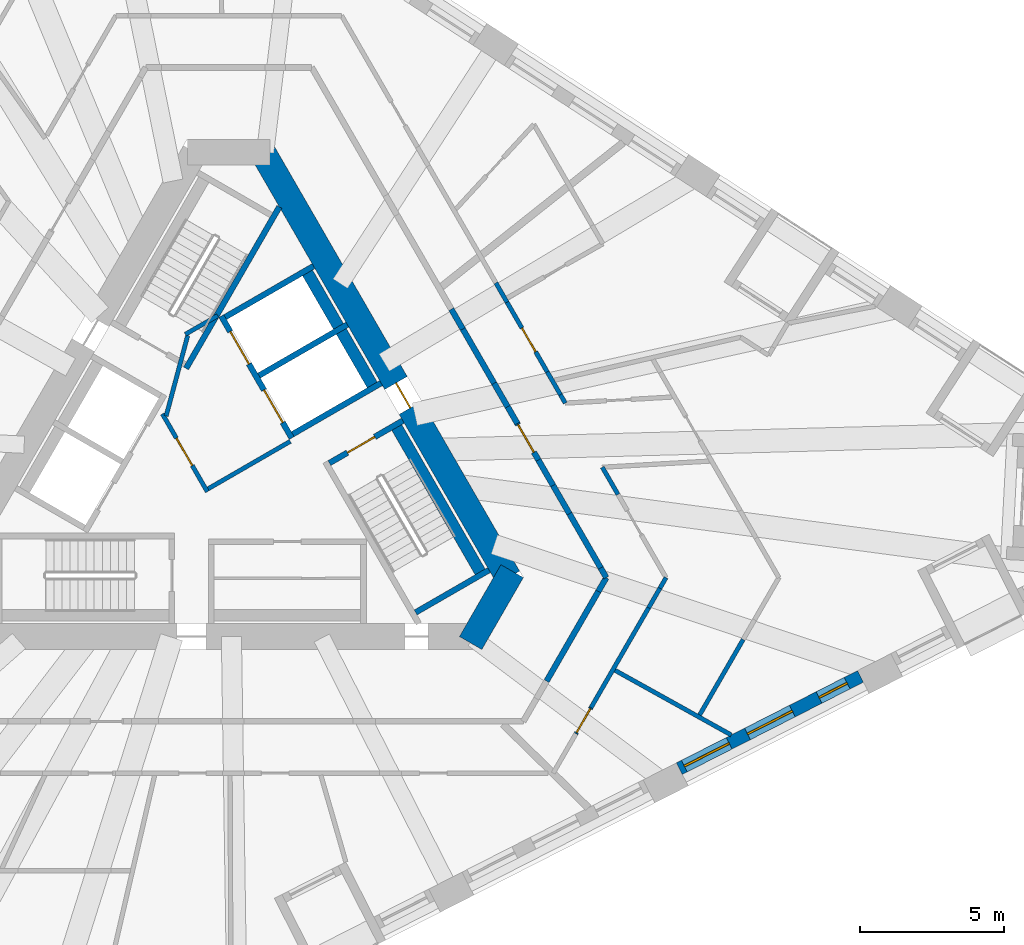
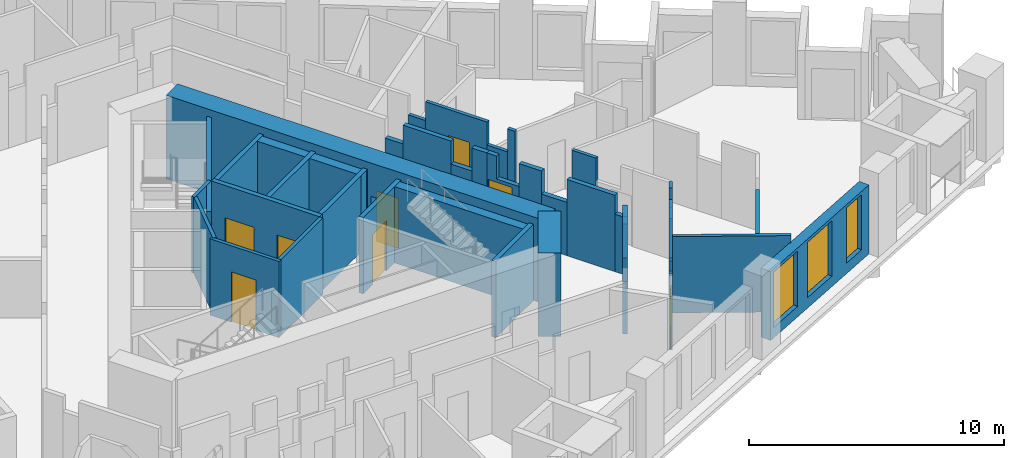
# One storey, part 5 of 13: 38 walls, 8 doors, 3 windows, 11 openings.
"""IFC4 building model written with IfcOpenShell, lengths in metres."""

from ifc_helpers import new_model, si_unit, direction, frame, frame_2d, origin, place, context, subcontext, project, spatial, polyline, rectangle, outline, extrude, material, layer, layer_set, type_object, element, fill, save


model = new_model("IFC4")

# Units and contexts
model_context = context("Model", 3, precision=1e-05, world=origin(), true_north=direction((0.0, 1.0)))
body_context = subcontext(model_context, "Body", "Model", "MODEL_VIEW")
ifc_project = project(units=[si_unit("LENGTHUNIT", "METRE"), si_unit("AREAUNIT", "SQUARE_METRE"), si_unit("VOLUMEUNIT", "CUBIC_METRE"), si_unit("PLANEANGLEUNIT", "RADIAN"), si_unit("MASSUNIT", "GRAM", prefix="KILO")], contexts=[model_context])

# Site, building, storey
site_placement = place(None, origin())
site = spatial("IfcSite", under=ifc_project, at=site_placement, CompositionType="ELEMENT")
building_placement = place(site_placement, origin())
building = spatial("IfcBuilding", under=site, at=building_placement, Name="Tramontana Tower", CompositionType="ELEMENT")
storey_placement = place(building_placement, frame((0.0, 0.0, 149.60009765625)))
storey = spatial("IfcBuildingStorey", under=building, at=storey_placement, Name="L34", CompositionType="ELEMENT", Elevation=149.60009765625)

# Wall
ifc_material_1 = material(Name="Concrete 70 MPa", Category="concrete")
ifc_layer_1 = layer(ifc_material_1, 0.89990234375)
ifc_layer_set_1 = layer_set([ifc_layer_1], Name="Core wall 900 70 MPa")
wall_type_1 = type_object("IfcWallType", Name="Core wall 900 70 MPa", PredefinedType="SHEAR", material=ifc_layer_set_1)
wall_1_placement = place(storey_placement, frame((8.414794921875, -6.52490234375, 0.0), z_axis=(0.0, 0.0, 1.0), x_axis=(0.500059191753, 0.865991226713, 0.0)))
element("IfcWall", 1, at=wall_1_placement, inside=storey, type_object=wall_type_1, Name="Core wall C4 L34", PredefinedType="SHEAR", context=body_context, shape_type="SweptSolid", body=[
    extrude(rectangle(XDim=2.886962890625, YDim=0.89990234375, at=frame_2d((1.443359375, 0.0))), origin(), (0.0, 0.0, 1.0), 4.0),
])

# Wall, opening, door
wall_2_placement = place(storey_placement, frame((9.728515625, -4.25, 0.0), z_axis=(0.0, 0.0, 1.0), x_axis=(-0.500004814304, 0.866022624227, 0.0)))
wall_2 = element("IfcWall", 2, at=wall_2_placement, inside=storey, type_object=wall_type_1, Name="Core wall C5 L34", PredefinedType="SHEAR", context=body_context, shape_type="SweptSolid", body=[
    extrude(rectangle(XDim=17.089599609375, YDim=0.89990234375, at=frame_2d((8.544921875, 0.0))), origin(), (0.0, 0.0, 1.0), 4.0),
])
opening_1_placement = place(wall_2_placement, frame((6.81982421875, 0.0, 0.0)))
opening_1 = element("IfcOpeningElement", 3, at=opening_1_placement, cuts=wall_2, Name="Opening RG3", PredefinedType="OPENING", context=body_context, shape_type="SweptSolid", body=[
    extrude(rectangle(XDim=1.0, YDim=2.39990234375, at=frame_2d((0.5, 1.199951171875))), frame((0.0, 0.4599609375, 0.0), z_axis=(0.0, -1.0, 0.0), x_axis=(1.0, 0.0, 0.0)), (0.0, 0.0, 1.0), 0.919921875),
])
ifc_material_2 = material(Name="Painted steel", Category="steel")
door_type_1 = type_object("IfcDoorType", Name="RING DOOR 1000", OperationType="SINGLE_SWING_LEFT", PredefinedType="DOOR", material=ifc_material_2)
door_1_placement = place(opening_1_placement, origin())
door_1 = element("IfcDoor", 4, at=door_1_placement, inside=storey, type_object=door_type_1, Name="Door RG3", OperationType="SINGLE_SWING_RIGHT", OverallHeight=2.39990234375, OverallWidth=1.0, PredefinedType="DOOR", context=body_context, shape_type="SweptSolid", body=[
    extrude(rectangle(XDim=1.0, YDim=2.39990234375, at=frame_2d((0.5, 1.199951171875))), frame((0.0, 0.02490234375, 0.0), z_axis=(0.0, -1.0, 0.0), x_axis=(1.0, 0.0, 0.0)), (0.0, 0.0, 1.0), 0.050048828125),
])
fill(opening_1, door_1)

# Walls
ifc_material_3 = material(Name="Blockwork", Category="masonry")
ifc_layer_2 = layer(ifc_material_3, 0.199951171875)
ifc_layer_set_2 = layer_set([ifc_layer_2], Name="ENTRY WALL 200")
wall_type_2 = type_object("IfcWallType", Name="ENTRY WALL 200", PredefinedType="SOLIDWALL", material=ifc_layer_set_2)
wall_3_placement = place(storey_placement, frame((7.7421875, 5.090087890625, 0.0), z_axis=(0.0, 0.0, 1.0), x_axis=(0.500109828528, -0.865961984968, 0.0)))
element("IfcWall", 5, at=wall_3_placement, inside=storey, type_object=wall_type_2, Name="Wall v32-ew0-3", PredefinedType="SOLIDWALL", context=body_context, shape_type="SweptSolid", body=[
    extrude(rectangle(XDim=0.800048828125, YDim=0.199951171875, at=frame_2d((0.39990234375, 0.0))), origin(), (0.0, 0.0, 1.0), 2.75),
])
wall_4_placement = place(storey_placement, frame((8.142333984375, 4.397216796875, 0.0), z_axis=(0.0, 0.0, 1.0), x_axis=(0.499948868167, -0.866054922749, 0.0)))
element("IfcWall", 6, at=wall_4_placement, inside=storey, type_object=wall_type_2, Name="Wall v32-ew0-4", PredefinedType="SOLIDWALL", context=body_context, shape_type="SweptSolid", body=[
    extrude(rectangle(XDim=2.177978515625, YDim=0.199951171875, at=frame_2d((1.0888671875, 0.0))), origin(), (0.0, 0.0, 1.0), 3.64990234375),
])
wall_5_placement = place(storey_placement, frame((9.231201171875, 2.510986328125, 0.0), z_axis=(0.0, 0.0, 1.0), x_axis=(0.500118100521, -0.865957207679, 0.0)))
element("IfcWall", 7, at=wall_5_placement, inside=storey, type_object=wall_type_2, Name="Wall v32-ew0-5", PredefinedType="SOLIDWALL", context=body_context, shape_type="SweptSolid", body=[
    extrude(rectangle(XDim=0.943603515625, YDim=0.199951171875, at=frame_2d((0.4716796875, 0.0))), origin(), (0.0, 0.0, 1.0), 2.5498046875),
])
wall_6_placement = place(storey_placement, frame((9.703125, 1.69384765625, 0.0), z_axis=(0.0, 0.0, 1.0), x_axis=(0.499764284991, -0.866161451144, 0.0)))
element("IfcWall", 8, at=wall_6_placement, inside=storey, type_object=wall_type_2, Name="Wall v32-ew0-6", PredefinedType="SOLIDWALL", context=body_context, shape_type="SweptSolid", body=[
    extrude(rectangle(XDim=0.673583984375, YDim=0.199951171875, at=frame_2d((0.3369140625, 0.0))), origin(), (0.0, 0.0, 1.0), 3.64990234375),
])

# Wall, opening, door
wall_7_placement = place(storey_placement, frame((10.039794921875, 1.1103515625, 0.0), z_axis=(0.0, 0.0, 1.0), x_axis=(0.499977492351, -0.866038398192, 0.0)))
wall_7 = element("IfcWall", 9, at=wall_7_placement, inside=storey, type_object=wall_type_2, Name="Wall v32-ew0-7", PredefinedType="SOLIDWALL", context=body_context, shape_type="SweptSolid", body=[
    extrude(outline(polyline([(0.0, 0.0), (1.4638671875, 0.0), (1.4638671875, 2.5498046875), (0.4404296875, 2.5498046875), (0.4404296875, 3.64990234375), (0.0, 3.64990234375), (0.0, 0.0)])), frame((0.0, 0.10009765625, 0.0), z_axis=(0.0, -1.0, 0.0), x_axis=(1.0, 0.0, 0.0)), (0.0, 0.0, 1.0), 0.199951171875),
])
opening_2_placement = place(wall_7_placement, frame((0.050048828125, 0.0, 0.0)))
opening_2 = element("IfcOpeningElement", 10, at=opening_2_placement, cuts=wall_7, Name="Opening B3C-23", PredefinedType="OPENING", context=body_context, shape_type="SweptSolid", body=[
    extrude(rectangle(XDim=1.10009765625, YDim=2.39990234375, at=frame_2d((0.550048828125, 1.199951171875))), frame((0.0, 0.10986328125, 0.0), z_axis=(0.0, -1.0, 0.0), x_axis=(1.0, 0.0, 0.0)), (0.0, 0.0, 1.0), 0.219970703125),
])
ifc_material_4 = material(Name="Painted timber", Category="wood")
door_type_2 = type_object("IfcDoorType", Name="DOOR ENTRY 1100", OperationType="SINGLE_SWING_LEFT", PredefinedType="DOOR", material=ifc_material_4)
door_2_placement = place(opening_2_placement, origin())
door_2 = element("IfcDoor", 11, at=door_2_placement, inside=storey, type_object=door_type_2, Name="Door B3C-23", OperationType="SINGLE_SWING_LEFT", OverallHeight=2.39990234375, OverallWidth=1.10009765625, PredefinedType="DOOR", context=body_context, shape_type="SweptSolid", body=[
    extrude(rectangle(XDim=1.10009765625, YDim=2.39990234375, at=frame_2d((0.550048828125, 1.199951171875))), frame((0.0, 0.02490234375, 0.0), z_axis=(0.0, -1.0, 0.0), x_axis=(1.0, 0.0, 0.0)), (0.0, 0.0, 1.0), 0.050048828125),
])
fill(opening_2, door_2)

# Walls
wall_8_placement = place(storey_placement, frame((10.771728515625, -0.157470703125, 0.0), z_axis=(0.0, 0.0, 1.0), x_axis=(0.500170198676, -0.865927117231, 0.0)))
element("IfcWall", 12, at=wall_8_placement, inside=storey, type_object=wall_type_2, Name="Wall v32-ew0-8", PredefinedType="SOLIDWALL", context=body_context, shape_type="SweptSolid", body=[
    extrude(rectangle(XDim=1.022705078125, YDim=0.199951171875, at=frame_2d((0.51123046875, 0.0))), origin(), (0.0, 0.0, 1.0), 3.64990234375),
])
wall_9_placement = place(storey_placement, frame((11.283203125, -1.04296875, 0.0), z_axis=(0.0, 0.0, 1.0), x_axis=(0.500001688065, -0.866024429177, 0.0)))
element("IfcWall", 13, at=wall_9_placement, inside=storey, type_object=wall_type_2, Name="Wall v32-ew0-9", PredefinedType="SOLIDWALL", context=body_context, shape_type="SweptSolid", body=[
    extrude(rectangle(XDim=1.13525390625, YDim=0.199951171875, at=frame_2d((0.567626953125, 0.0))), origin(), (0.0, 0.0, 1.0), 2.5498046875),
])
wall_10_placement = place(storey_placement, frame((11.850830078125, -2.026123046875, 0.0), z_axis=(0.0, 0.0, 1.0), x_axis=(0.50001992892, -0.866013897511, 0.0)))
element("IfcWall", 14, at=wall_10_placement, inside=storey, type_object=wall_type_2, Name="Wall v32-ew0-10", PredefinedType="SOLIDWALL", context=body_context, shape_type="SweptSolid", body=[
    extrude(rectangle(XDim=2.1787109375, YDim=0.199951171875, at=frame_2d((1.08935546875, 0.0))), origin(), (0.0, 0.0, 1.0), 3.64990234375),
])
wall_11_placement = place(storey_placement, frame((12.940185546875, -3.912841796875, 0.0), z_axis=(0.0, 0.0, 1.0), x_axis=(0.499849133735, -0.866112488944, 0.0)))
element("IfcWall", 15, at=wall_11_placement, inside=storey, type_object=wall_type_2, Name="Wall v32-ew0-11", PredefinedType="SOLIDWALL", context=body_context, shape_type="SweptSolid", body=[
    extrude(rectangle(XDim=0.38916015625, YDim=0.199951171875, at=frame_2d((0.194580078125, 0.0))), origin(), (0.0, 0.0, 1.0), 2.75),
])
wall_12_placement = place(storey_placement, frame((13.134765625, -4.25, 0.0), z_axis=(0.0, 0.0, 1.0), x_axis=(-0.499887958344, -0.866090081402, 0.0)))
element("IfcWall", 16, at=wall_12_placement, inside=storey, type_object=wall_type_2, Name="Wall v32-ew1-0", PredefinedType="SOLIDWALL", context=body_context, shape_type="SweptSolid", body=[
    extrude(rectangle(XDim=0.553466796875, YDim=0.199951171875, at=frame_2d((0.27685546875, 0.0))), origin(), (0.0, 0.0, 1.0), 2.75),
])
wall_13_placement = place(storey_placement, frame((12.858154296875, -4.729248046875, 0.0), z_axis=(0.0, 0.0, 1.0), x_axis=(-0.500031425827, -0.866007259314, 0.0)))
element("IfcWall", 17, at=wall_13_placement, inside=storey, type_object=wall_type_2, Name="Wall v32-ew1-1", PredefinedType="SOLIDWALL", context=body_context, shape_type="SweptSolid", body=[
    extrude(rectangle(XDim=3.602294921875, YDim=0.199951171875, at=frame_2d((1.80126953125, 0.0))), origin(), (0.0, 0.0, 1.0), 3.64990234375),
])

# Wall, openings, windows
ifc_material_5 = material(Name="Precast concrete 60 MPa", Category="concrete")
ifc_layer_3 = layer(ifc_material_5, 0.449951171875)
ifc_layer_set_3 = layer_set([ifc_layer_3], Name="Precast concrete 60 MPa, 450 mm")
wall_type_3 = type_object("IfcWallType", Name="EW1 Stone-faced precast wall 450", PredefinedType="SOLIDWALL", material=ifc_layer_set_3)
wall_14_placement = place(storey_placement, frame((15.6767578125, -10.8955078125, 0.0), z_axis=(0.0, 0.0, 1.0), x_axis=(0.891004189171, 0.45399508244, 0.0)))
wall_14 = element("IfcWall", 18, at=wall_14_placement, inside=storey, type_object=wall_type_3, Name="External wall L34 face 1 bay 5", PredefinedType="SOLIDWALL", context=body_context, shape_type="SweptSolid", body=[
    extrude(rectangle(XDim=7.071533203125, YDim=0.449951171875, at=frame_2d((3.53564453125, 0.0))), origin(), (0.0, 0.0, 1.0), 3.2998046875),
])
opening_3_placement = place(wall_14_placement, frame((0.1953125, 0.0, 0.5)))
opening_3 = element("IfcOpeningElement", 19, at=opening_3_placement, cuts=wall_14, Name="Opening M2", PredefinedType="OPENING", context=body_context, shape_type="SweptSolid", body=[
    extrude(rectangle(XDim=1.75, YDim=2.64990234375, at=frame_2d((0.875, 1.324951171875))), frame((0.0, 0.23486328125, 0.0), z_axis=(0.0, -1.0, 0.0), x_axis=(1.0, 0.0, 0.0)), (0.0, 0.0, 1.0), 0.469970703125),
])
opening_4_placement = place(wall_14_placement, frame((2.660888671875, 0.0, 0.5)))
opening_4 = element("IfcOpeningElement", 20, at=opening_4_placement, cuts=wall_14, Name="Opening M2", PredefinedType="OPENING", context=body_context, shape_type="SweptSolid", body=[
    extrude(rectangle(XDim=1.75, YDim=2.64990234375, at=frame_2d((0.875, 1.324951171875))), frame((0.0, 0.23486328125, 0.0), z_axis=(0.0, -1.0, 0.0), x_axis=(1.0, 0.0, 0.0)), (0.0, 0.0, 1.0), 0.469970703125),
])
opening_5_placement = place(wall_14_placement, frame((5.451416015625, 0.0, 0.5)))
opening_5 = element("IfcOpeningElement", 21, at=opening_5_placement, cuts=wall_14, Name="Opening N2", PredefinedType="OPENING", context=body_context, shape_type="SweptSolid", body=[
    extrude(rectangle(XDim=1.10009765625, YDim=2.64990234375, at=frame_2d((0.550048828125, 1.324951171875))), frame((0.0, 0.23486328125, 0.0), z_axis=(0.0, -1.0, 0.0), x_axis=(1.0, 0.0, 0.0)), (0.0, 0.0, 1.0), 0.469970703125),
])
ifc_material_6 = material(Name="Aluminum frame, double glazing unit", Category="aluminium")
window_type_1 = type_object("IfcWindowType", Name="M2 Window 1.75 x 2.65", PartitioningType="SINGLE_PANEL", PredefinedType="WINDOW", material=ifc_material_6)
window_1_placement = place(opening_3_placement, origin())
window_1 = element("IfcWindow", 22, at=window_1_placement, inside=storey, type_object=window_type_1, Name="Window M2 L34 face 1 module 13", OverallHeight=2.64990234375, OverallWidth=1.75, PartitioningType="SINGLE_PANEL", PredefinedType="WINDOW", context=body_context, shape_type="SweptSolid", body=[
    extrude(rectangle(XDim=1.75, YDim=2.64990234375, at=frame_2d((0.875, 1.324951171875))), frame((0.0, 0.030029296875, 0.0), z_axis=(0.0, -1.0, 0.0), x_axis=(1.0, 0.0, 0.0)), (0.0, 0.0, 1.0), 0.06005859375),
])
fill(opening_3, window_1)
window_2_placement = place(opening_4_placement, origin())
window_2 = element("IfcWindow", 23, at=window_2_placement, inside=storey, type_object=window_type_1, Name="Window M2 L34 face 1 module 14", OverallHeight=2.64990234375, OverallWidth=1.75, PartitioningType="SINGLE_PANEL", PredefinedType="WINDOW", context=body_context, shape_type="SweptSolid", body=[
    extrude(rectangle(XDim=1.75, YDim=2.64990234375, at=frame_2d((0.875, 1.324951171875))), frame((0.0, 0.030029296875, 0.0), z_axis=(0.0, -1.0, 0.0), x_axis=(1.0, 0.0, 0.0)), (0.0, 0.0, 1.0), 0.06005859375),
])
fill(opening_4, window_2)
ifc_material_7 = material(Name="Aluminum frame, double glazing unit", Category="aluminium")
window_type_2 = type_object("IfcWindowType", Name="N2 Window 1.1 x 2.65", PartitioningType="SINGLE_PANEL", PredefinedType="WINDOW", material=ifc_material_7)
window_3_placement = place(opening_5_placement, origin())
window_3 = element("IfcWindow", 24, at=window_3_placement, inside=storey, type_object=window_type_2, Name="Window N2 L34 face 1 module 15", OverallHeight=2.64990234375, OverallWidth=1.10009765625, PartitioningType="SINGLE_PANEL", PredefinedType="WINDOW", context=body_context, shape_type="SweptSolid", body=[
    extrude(rectangle(XDim=1.10009765625, YDim=2.64990234375, at=frame_2d((0.550048828125, 1.324951171875))), frame((0.0, 0.030029296875, 0.0), z_axis=(0.0, -1.0, 0.0), x_axis=(1.0, 0.0, 0.0)), (0.0, 0.0, 1.0), 0.06005859375),
])
fill(opening_5, window_3)

# Wall, opening, door
ifc_material_8 = material(Name="Gypsum board partition")
ifc_layer_4 = layer(ifc_material_8, 0.14990234375)
ifc_layer_set_4 = layer_set([ifc_layer_4], Name="PARTITION 150")
wall_type_4 = type_object("IfcWallType", Name="PARTITION 150", PredefinedType="PARTITIONING", material=ifc_layer_set_4)
wall_15_placement = place(storey_placement, frame((-0.744140625, -1.260986328125, 0.0), z_axis=(0.0, 0.0, 1.0), x_axis=(-0.500004234368, 0.866022959057, 0.0)))
wall_15 = element("IfcWall", 25, at=wall_15_placement, inside=storey, type_object=wall_type_4, Name="Wall ff-front", PredefinedType="PARTITIONING", context=body_context, shape_type="SweptSolid", body=[
    extrude(rectangle(XDim=3.125, YDim=0.14990234375, at=frame_2d((1.5625, 0.0))), origin(), (0.0, 0.0, 1.0), 3.64990234375),
])
opening_6_placement = place(wall_15_placement, frame((1.050048828125, 0.0, 0.0)))
opening_6 = element("IfcOpeningElement", 26, at=opening_6_placement, cuts=wall_15, Name="Opening FD1", PredefinedType="OPENING", context=body_context, shape_type="SweptSolid", body=[
    extrude(rectangle(XDim=1.10009765625, YDim=2.39990234375, at=frame_2d((0.550048828125, 1.199951171875))), frame((0.0, 0.0849609375, 0.0), z_axis=(0.0, -1.0, 0.0), x_axis=(1.0, 0.0, 0.0)), (0.0, 0.0, 1.0), 0.169921875),
])
door_3_placement = place(opening_6_placement, origin())
door_3 = element("IfcDoor", 27, at=door_3_placement, inside=storey, type_object=door_type_2, Name="Door FD1", OperationType="SINGLE_SWING_LEFT", OverallHeight=2.39990234375, OverallWidth=1.10009765625, PredefinedType="DOOR", context=body_context, shape_type="SweptSolid", body=[
    extrude(rectangle(XDim=1.10009765625, YDim=2.39990234375, at=frame_2d((0.550048828125, 1.199951171875))), frame((0.0, 0.02490234375, 0.0), z_axis=(0.0, -1.0, 0.0), x_axis=(1.0, 0.0, 0.0)), (0.0, 0.0, 1.0), 0.050048828125),
])
fill(opening_6, door_3)

# Walls
wall_16_placement = place(storey_placement, frame((-0.716796875, -1.15869140625, 0.0), z_axis=(0.0, 0.0, 1.0), x_axis=(0.866008176907, 0.50002983664, 0.0)))
element("IfcWall", 28, at=wall_16_placement, inside=storey, type_object=wall_type_4, Name="Wall ff-end0", PredefinedType="PARTITIONING", context=body_context, shape_type="SweptSolid", body=[
    extrude(rectangle(XDim=3.300048828125, YDim=0.14990234375, at=frame_2d((1.64990234375, 0.0))), origin(), (0.0, 0.0, 1.0), 3.64990234375),
])
wall_17_placement = place(storey_placement, frame((-2.177978515625, 1.372314453125, 0.0), z_axis=(0.0, 0.0, 1.0), x_axis=(0.258808958833, 0.96592852884, 0.0)))
element("IfcWall", 29, at=wall_17_placement, inside=storey, type_object=wall_type_4, Name="Wall ff-diag", PredefinedType="PARTITIONING", context=body_context, shape_type="SweptSolid", body=[
    extrude(rectangle(XDim=2.902587890625, YDim=0.14990234375, at=frame_2d((1.451171875, 0.0))), origin(), (0.0, 0.0, 1.0), 3.64990234375),
])
wall_18_placement = place(storey_placement, frame((-1.509765625, 4.21484375, 0.0), z_axis=(0.0, 0.0, 1.0), x_axis=(0.866085525409, 0.49989585183, 0.0)))
element("IfcWall", 30, at=wall_18_placement, inside=storey, type_object=wall_type_4, Name="Wall ff-end1", PredefinedType="PARTITIONING", context=body_context, shape_type="SweptSolid", body=[
    extrude(rectangle(XDim=1.300048828125, YDim=0.14990234375, at=frame_2d((0.64990234375, 0.0))), origin(), (0.0, 0.0, 1.0), 3.64990234375),
])
wall_19_placement = place(storey_placement, frame((9.2939453125, 6.00244140625, 0.0), z_axis=(0.0, 0.0, 1.0), x_axis=(0.499831512295, -0.866122658356, 0.0)))
element("IfcWall", 31, at=wall_19_placement, inside=storey, type_object=wall_type_4, Name="Wall v32-pw20-3", PredefinedType="PARTITIONING", context=body_context, shape_type="SweptSolid", body=[
    extrude(rectangle(XDim=0.775146484375, YDim=0.14990234375, at=frame_2d((0.3876953125, 0.0))), origin(), (0.0, 0.0, 1.0), 2.75),
])

# Wall, opening, door
wall_20_placement = place(storey_placement, frame((9.681396484375, 5.3310546875, 0.0), z_axis=(0.0, 0.0, 1.0), x_axis=(0.500034735108, -0.866005348532, 0.0)))
wall_20 = element("IfcWall", 32, at=wall_20_placement, inside=storey, type_object=wall_type_4, Name="Wall v32-pw20-4", PredefinedType="PARTITIONING", context=body_context, shape_type="SweptSolid", body=[
    extrude(rectangle(XDim=2.797119140625, YDim=0.14990234375, at=frame_2d((1.3984375, 0.0))), origin(), (0.0, 0.0, 1.0), 3.64990234375),
])
opening_7_placement = place(wall_20_placement, frame((1.038330078125, 0.0, 0.0)))
opening_7 = element("IfcOpeningElement", 33, at=opening_7_placement, cuts=wall_20, Name="Opening B3C-19", PredefinedType="OPENING", context=body_context, shape_type="SweptSolid", body=[
    extrude(rectangle(XDim=0.949951171875, YDim=2.39990234375, at=frame_2d((0.47509765625, 1.199951171875))), frame((0.0, 0.0849609375, 0.0), z_axis=(0.0, -1.0, 0.0), x_axis=(1.0, 0.0, 0.0)), (0.0, 0.0, 1.0), 0.169921875),
])
ifc_material_9 = material(Name="Painted timber", Category="wood")
door_type_3 = type_object("IfcDoorType", Name="DOOR ROOM 950", OperationType="SINGLE_SWING_LEFT", PredefinedType="DOOR", material=ifc_material_9)
door_4_placement = place(opening_7_placement, origin())
door_4 = element("IfcDoor", 34, at=door_4_placement, inside=storey, type_object=door_type_3, Name="Door B3C-19", OperationType="SINGLE_SWING_LEFT", OverallHeight=2.39990234375, OverallWidth=0.949951171875, PredefinedType="DOOR", context=body_context, shape_type="SweptSolid", body=[
    extrude(rectangle(XDim=0.949951171875, YDim=2.39990234375, at=frame_2d((0.47509765625, 1.199951171875))), frame((0.0, 0.02490234375, 0.0), z_axis=(0.0, -1.0, 0.0), x_axis=(1.0, 0.0, 0.0)), (0.0, 0.0, 1.0), 0.050048828125),
])
fill(opening_7, door_4)

# Walls
wall_21_placement = place(storey_placement, frame((11.080078125, 2.90869140625, 0.0), z_axis=(0.0, 0.0, 1.0), x_axis=(0.500060322201, -0.865990573944, 0.0)))
element("IfcWall", 35, at=wall_21_placement, inside=storey, type_object=wall_type_4, Name="Wall v32-pw20-5", PredefinedType="PARTITIONING", context=body_context, shape_type="SweptSolid", body=[
    extrude(rectangle(XDim=0.91748046875, YDim=0.14990234375, at=frame_2d((0.458740234375, 0.0))), origin(), (0.0, 0.0, 1.0), 2.5498046875),
])
wall_22_placement = place(storey_placement, frame((11.538818359375, 2.1142578125, 0.0), z_axis=(0.0, 0.0, 1.0), x_axis=(0.500013496215, -0.866017611601, 0.0)))
element("IfcWall", 36, at=wall_22_placement, inside=storey, type_object=wall_type_4, Name="Wall v32-pw20-6", PredefinedType="PARTITIONING", context=body_context, shape_type="SweptSolid", body=[
    extrude(rectangle(XDim=0.3388671875, YDim=0.14990234375, at=frame_2d((0.16943359375, 0.0))), origin(), (0.0, 0.0, 1.0), 3.64990234375),
])
wall_23_placement = place(storey_placement, frame((12.995849609375, -0.409423828125, 0.0), z_axis=(0.0, 0.0, 1.0), x_axis=(0.499890179513, -0.866088799389, 0.0)))
element("IfcWall", 37, at=wall_23_placement, inside=storey, type_object=wall_type_4, Name="Wall v32-pw27-0", PredefinedType="PARTITIONING", context=body_context, shape_type="SweptSolid", body=[
    extrude(rectangle(XDim=1.092041015625, YDim=0.14990234375, at=frame_2d((0.5458984375, 0.0))), origin(), (0.0, 0.0, 1.0), 3.64990234375),
])
wall_24_placement = place(storey_placement, frame((15.213134765625, -4.25, 0.0), z_axis=(0.0, 0.0, 1.0), x_axis=(-0.499922110319, -0.866070368743, 0.0)))
element("IfcWall", 38, at=wall_24_placement, inside=storey, type_object=wall_type_4, Name="Wall v32-pw31-0", PredefinedType="PARTITIONING", context=body_context, shape_type="SweptSolid", body=[
    extrude(rectangle(XDim=0.42333984375, YDim=0.14990234375, at=frame_2d((0.211669921875, 0.0))), origin(), (0.0, 0.0, 1.0), 3.64990234375),
])
wall_25_placement = place(storey_placement, frame((15.00146484375, -4.61669921875, 0.0), z_axis=(0.0, 0.0, 1.0), x_axis=(-0.49989173393, -0.866087902207, 0.0)))
element("IfcWall", 39, at=wall_25_placement, inside=storey, type_object=wall_type_4, Name="Wall v32-pw31-1", PredefinedType="PARTITIONING", context=body_context, shape_type="SweptSolid", body=[
    extrude(rectangle(XDim=0.790771484375, YDim=0.14990234375, at=frame_2d((0.3955078125, 0.0))), origin(), (0.0, 0.0, 1.0), 2.75),
])
wall_26_placement = place(storey_placement, frame((14.606201171875, -5.301513671875, 0.0), z_axis=(0.0, 0.0, 1.0), x_axis=(-0.500019656837, -0.866014054607, 0.0)))
element("IfcWall", 40, at=wall_26_placement, inside=storey, type_object=wall_type_4, Name="Wall v32-pw31-2", PredefinedType="PARTITIONING", context=body_context, shape_type="SweptSolid", body=[
    extrude(rectangle(XDim=4.005615234375, YDim=0.14990234375, at=frame_2d((2.0029296875, 0.0))), origin(), (0.0, 0.0, 1.0), 3.64990234375),
])

# Wall, opening, door
wall_27_placement = place(storey_placement, frame((12.603271484375, -8.7705078125, 0.0), z_axis=(0.0, 0.0, 1.0), x_axis=(-0.500064554934, -0.865988129768, 0.0)))
wall_27 = element("IfcWall", 41, at=wall_27_placement, inside=storey, type_object=wall_type_4, Name="Wall v32-pw31-3", PredefinedType="PARTITIONING", context=body_context, shape_type="SweptSolid", body=[
    extrude(outline(polyline([(0.0, 0.0), (1.050048828125, 0.0), (1.050048828125, 3.64990234375), (0.883544921875, 3.64990234375), (0.883544921875, 2.949951171875), (0.203857421875, 2.949951171875), (0.203857421875, 3.64990234375), (0.0, 3.64990234375), (0.0, 0.0)])), frame((0.0, 0.074951171875, 0.0), z_axis=(0.0, -1.0, 0.0), x_axis=(1.0, 0.0, 0.0)), (0.0, 0.0, 1.0), 0.14990234375),
])
opening_8_placement = place(wall_27_placement, frame((0.050048828125, 0.0, 0.0)))
opening_8 = element("IfcOpeningElement", 42, at=opening_8_placement, cuts=wall_27, Name="Opening B3C-18", PredefinedType="OPENING", context=body_context, shape_type="SweptSolid", body=[
    extrude(rectangle(XDim=0.949951171875, YDim=2.39990234375, at=frame_2d((0.47509765625, 1.199951171875))), frame((0.0, 0.0849609375, 0.0), z_axis=(0.0, -1.0, 0.0), x_axis=(1.0, 0.0, 0.0)), (0.0, 0.0, 1.0), 0.169921875),
])
door_5_placement = place(opening_8_placement, origin())
door_5 = element("IfcDoor", 43, at=door_5_placement, inside=storey, type_object=door_type_3, Name="Door B3C-18", OperationType="SINGLE_SWING_RIGHT", OverallHeight=2.39990234375, OverallWidth=0.949951171875, PredefinedType="DOOR", context=body_context, shape_type="SweptSolid", body=[
    extrude(rectangle(XDim=0.949951171875, YDim=2.39990234375, at=frame_2d((0.47509765625, 1.199951171875))), frame((0.0, 0.02490234375, 0.0), z_axis=(0.0, -1.0, 0.0), x_axis=(1.0, 0.0, 0.0)), (0.0, 0.0, 1.0), 0.050048828125),
])
fill(opening_8, door_5)

# Walls
wall_28_placement = place(storey_placement, frame((17.481689453125, -9.72314453125, 0.0), z_axis=(0.0, 0.0, 1.0), x_axis=(-0.873935661158, 0.486041623893, 0.0)))
element("IfcWall", 44, at=wall_28_placement, inside=storey, type_object=wall_type_4, Name="Wall v32-pw33", PredefinedType="PARTITIONING", context=body_context, shape_type="SweptSolid", body=[
    extrude(rectangle(XDim=4.626708984375, YDim=0.14990234375, at=frame_2d((2.3134765625, 0.0))), origin(), (0.0, 0.0, 1.0), 3.64990234375),
])
wall_29_placement = place(storey_placement, frame((17.895751953125, -6.403564453125, 0.0), z_axis=(0.0, 0.0, 1.0), x_axis=(-0.500015609314, -0.866016391555, 0.0)))
element("IfcWall", 45, at=wall_29_placement, inside=storey, type_object=wall_type_4, Name="Wall v32-pw36-2", PredefinedType="PARTITIONING", context=body_context, shape_type="SweptSolid", body=[
    extrude(rectangle(XDim=3.02783203125, YDim=0.14990234375, at=frame_2d((1.513916015625, 0.0))), origin(), (0.0, 0.0, 1.0), 3.64990234375),
])
ifc_material_10 = material(Name="Concrete 70 MPa", Category="concrete")
ifc_layer_5 = layer(ifc_material_10, 0.39990234375)
ifc_layer_set_5 = layer_set([ifc_layer_5], Name="Concrete 70 MPa, 400 mm")
wall_type_5 = type_object("IfcWallType", Name="RC SHAFT BACK WALL 400", PredefinedType="SOLIDWALL", material=ifc_layer_set_5)
wall_30_placement = place(storey_placement, frame((8.846435546875, -4.222412109375, 0.0), z_axis=(0.0, 0.0, 1.0), x_axis=(-0.500009909098, 0.866019682689, 0.0)))
element("IfcWall", 46, at=wall_30_placement, inside=storey, type_object=wall_type_5, Name="Wall st3-back", PredefinedType="SOLIDWALL", context=body_context, shape_type="SweptSolid", body=[
    extrude(rectangle(XDim=6.199951171875, YDim=0.39990234375, at=frame_2d((3.10009765625, 0.0))), origin(), (0.0, 0.0, 1.0), 3.64990234375),
])
wall_31_placement = place(storey_placement, frame((5.091552734375, 2.28125, 0.0), z_axis=(0.0, 0.0, 1.0), x_axis=(-0.500018594424, 0.866014668023, 0.0)))
element("IfcWall", 47, at=wall_31_placement, inside=storey, type_object=wall_type_5, Name="Wall row2-back", PredefinedType="SOLIDWALL", context=body_context, shape_type="SweptSolid", body=[
    extrude(rectangle(XDim=4.900146484375, YDim=0.39990234375, at=frame_2d((2.4501953125, 0.0))), origin(), (0.0, 0.0, 1.0), 3.64990234375),
])
ifc_material_11 = material(Name="Concrete 70 MPa", Category="concrete")
ifc_layer_6 = layer(ifc_material_11, 0.199951171875)
ifc_layer_set_6 = layer_set([ifc_layer_6], Name="Concrete 70 MPa, 200 mm")
wall_type_6 = type_object("IfcWallType", Name="RC STAIR AND SHAFT WALL 200", PredefinedType="SOLIDWALL", material=ifc_layer_set_6)
wall_32_placement = place(storey_placement, frame((1.760986328125, 8.64990234375, 0.0), z_axis=(0.0, 0.0, 1.0), x_axis=(-0.500010023241, -0.866019616786, 0.0)))
element("IfcWall", 48, at=wall_32_placement, inside=storey, type_object=wall_type_6, Name="Wall st1-front", PredefinedType="SOLIDWALL", context=body_context, shape_type="SweptSolid", body=[
    extrude(rectangle(XDim=6.491455078125, YDim=0.199951171875, at=frame_2d((3.24560546875, 0.0))), origin(), (0.0, 0.0, 1.0), 3.64990234375),
])
wall_33_placement = place(storey_placement, frame((6.50146484375, -5.4609375, 0.0), z_axis=(0.0, 0.0, 1.0), x_axis=(0.866003658127, 0.500037662692, 0.0)))
element("IfcWall", 49, at=wall_33_placement, inside=storey, type_object=wall_type_6, Name="Wall st3-far", PredefinedType="SOLIDWALL", context=body_context, shape_type="SweptSolid", body=[
    extrude(rectangle(XDim=2.949951171875, YDim=0.199951171875, at=frame_2d((1.47509765625, 0.0))), origin(), (0.0, 0.0, 1.0), 3.64990234375),
])

# Wall, opening, door
wall_34_placement = place(storey_placement, frame((3.50146484375, -0.2646484375, 0.0), z_axis=(0.0, 0.0, 1.0), x_axis=(0.866039495442, 0.49997559174, 0.0)))
wall_34 = element("IfcWall", 50, at=wall_34_placement, inside=storey, type_object=wall_type_6, Name="Wall st3-near", PredefinedType="SOLIDWALL", context=body_context, shape_type="SweptSolid", body=[
    extrude(rectangle(XDim=2.949951171875, YDim=0.199951171875, at=frame_2d((1.47509765625, 0.0))), origin(), (0.0, 0.0, 1.0), 3.64990234375),
])
opening_9_placement = place(wall_34_placement, frame((0.72509765625, 0.0, 0.0)))
opening_9 = element("IfcOpeningElement", 51, at=opening_9_placement, cuts=wall_34, Name="Opening SD3", PredefinedType="OPENING", context=body_context, shape_type="SweptSolid", body=[
    extrude(rectangle(XDim=1.10009765625, YDim=2.39990234375, at=frame_2d((0.550048828125, 1.199951171875))), frame((0.0, 0.10986328125, 0.0), z_axis=(0.0, -1.0, 0.0), x_axis=(1.0, 0.0, 0.0)), (0.0, 0.0, 1.0), 0.219970703125),
])
ifc_material_12 = material(Name="Painted steel", Category="steel")
door_type_4 = type_object("IfcDoorType", Name="STAIR DOOR 1100", OperationType="SINGLE_SWING_LEFT", PredefinedType="DOOR", material=ifc_material_12)
door_6_placement = place(opening_9_placement, origin())
door_6 = element("IfcDoor", 52, at=door_6_placement, inside=storey, type_object=door_type_4, Name="Door SD3", OperationType="SINGLE_SWING_RIGHT", OverallHeight=2.39990234375, OverallWidth=1.10009765625, PredefinedType="DOOR", context=body_context, shape_type="SweptSolid", body=[
    extrude(rectangle(XDim=1.10009765625, YDim=2.39990234375, at=frame_2d((0.550048828125, 1.199951171875))), frame((0.0, 0.02490234375, 0.0), z_axis=(0.0, -1.0, 0.0), x_axis=(1.0, 0.0, 0.0)), (0.0, 0.0, 1.0), 0.050048828125),
])
fill(opening_9, door_6)

# Wall, openings, doors
wall_35_placement = place(storey_placement, frame((2.190185546875, 0.6064453125, 0.0), z_axis=(0.0, 0.0, 1.0), x_axis=(-0.500002801628, 0.866023786258, 0.0)))
wall_35 = element("IfcWall", 53, at=wall_35_placement, inside=storey, type_object=wall_type_6, Name="Wall row2-front", PredefinedType="SOLIDWALL", context=body_context, shape_type="SweptSolid", body=[
    extrude(rectangle(XDim=4.89990234375, YDim=0.199951171875, at=frame_2d((2.449951171875, 0.0))), origin(), (0.0, 0.0, 1.0), 3.64990234375),
])
opening_10_placement = place(wall_35_placement, frame((0.625, 0.0, 0.0)))
opening_10 = element("IfcOpeningElement", 54, at=opening_10_placement, cuts=wall_35, Name="Opening LD-F1", PredefinedType="OPENING", context=body_context, shape_type="SweptSolid", body=[
    extrude(rectangle(XDim=1.300048828125, YDim=2.10009765625, at=frame_2d((0.64990234375, 1.050048828125))), frame((0.0, 0.10986328125, 0.0), z_axis=(0.0, -1.0, 0.0), x_axis=(1.0, 0.0, 0.0)), (0.0, 0.0, 1.0), 0.219970703125),
])
opening_11_placement = place(wall_35_placement, frame((2.97509765625, 0.0, 0.0)))
opening_11 = element("IfcOpeningElement", 55, at=opening_11_placement, cuts=wall_35, Name="Opening LD-F2", PredefinedType="OPENING", context=body_context, shape_type="SweptSolid", body=[
    extrude(rectangle(XDim=1.300048828125, YDim=2.10009765625, at=frame_2d((0.64990234375, 1.050048828125))), frame((0.0, 0.10986328125, 0.0), z_axis=(0.0, -1.0, 0.0), x_axis=(1.0, 0.0, 0.0)), (0.0, 0.0, 1.0), 0.219970703125),
])
ifc_material_13 = material(Name="Brushed steel", Category="steel")
door_type_5 = type_object("IfcDoorType", Name="LANDING DOOR 1300", OperationType="SINGLE_SWING_LEFT", PredefinedType="DOOR", material=ifc_material_13)
door_7_placement = place(opening_10_placement, origin())
door_7 = element("IfcDoor", 56, at=door_7_placement, inside=storey, type_object=door_type_5, Name="Door LD-F1", OperationType="SLIDING_TO_LEFT", OverallHeight=2.10009765625, OverallWidth=1.300048828125, PredefinedType="DOOR", context=body_context, shape_type="SweptSolid", body=[
    extrude(rectangle(XDim=1.300048828125, YDim=2.10009765625, at=frame_2d((0.64990234375, 1.050048828125))), frame((0.0, 0.02490234375, 0.0), z_axis=(0.0, -1.0, 0.0), x_axis=(1.0, 0.0, 0.0)), (0.0, 0.0, 1.0), 0.050048828125),
])
fill(opening_10, door_7)
door_8_placement = place(opening_11_placement, origin())
door_8 = element("IfcDoor", 57, at=door_8_placement, inside=storey, type_object=door_type_5, Name="Door LD-F2", OperationType="SLIDING_TO_RIGHT", OverallHeight=2.10009765625, OverallWidth=1.300048828125, PredefinedType="DOOR", context=body_context, shape_type="SweptSolid", body=[
    extrude(rectangle(XDim=1.300048828125, YDim=2.10009765625, at=frame_2d((0.64990234375, 1.050048828125))), frame((0.0, 0.02490234375, 0.0), z_axis=(0.0, -1.0, 0.0), x_axis=(1.0, 0.0, 0.0)), (0.0, 0.0, 1.0), 0.050048828125),
])
fill(opening_11, door_8)

# Walls
for number, where, z_axis, x_axis, name in (
    (58, (2.226806640625, 0.742919921875, 0.0), (0.0, 0.0, 1.0), (0.866012656725, 0.500022077904, 0.0), "Wall row2-side0"),
    (59, (1.0517578125, 2.778076171875, 0.0), (0.0, 0.0, 1.0), (0.866012656725, 0.500022077904, 0.0), "Wall row2-side1"),
):
    element("IfcWall", number, at=place(storey_placement, frame(where, z_axis=z_axis, x_axis=x_axis)), inside=storey, type_object=wall_type_6, Name=name, PredefinedType="SOLIDWALL", context=body_context, shape_type="SweptSolid", body=[
        extrude(rectangle(XDim=3.550048828125, YDim=0.199951171875, at=frame_2d((1.77490234375, 0.0))), origin(), (0.0, 0.0, 1.0), 3.64990234375),
    ])
wall_36_placement = place(storey_placement, frame((-0.123046875, 4.813232421875, 0.0), z_axis=(0.0, 0.0, 1.0), x_axis=(0.865995461329, 0.500051858269, 0.0)))
element("IfcWall", 60, at=wall_36_placement, inside=storey, type_object=wall_type_6, Name="Wall row2-side2", PredefinedType="SOLIDWALL", context=body_context, shape_type="SweptSolid", body=[
    extrude(rectangle(XDim=3.5498046875, YDim=0.199951171875, at=frame_2d((1.77490234375, 0.0))), origin(), (0.0, 0.0, 1.0), 3.64990234375),
])

save(model, "model.ifc")
